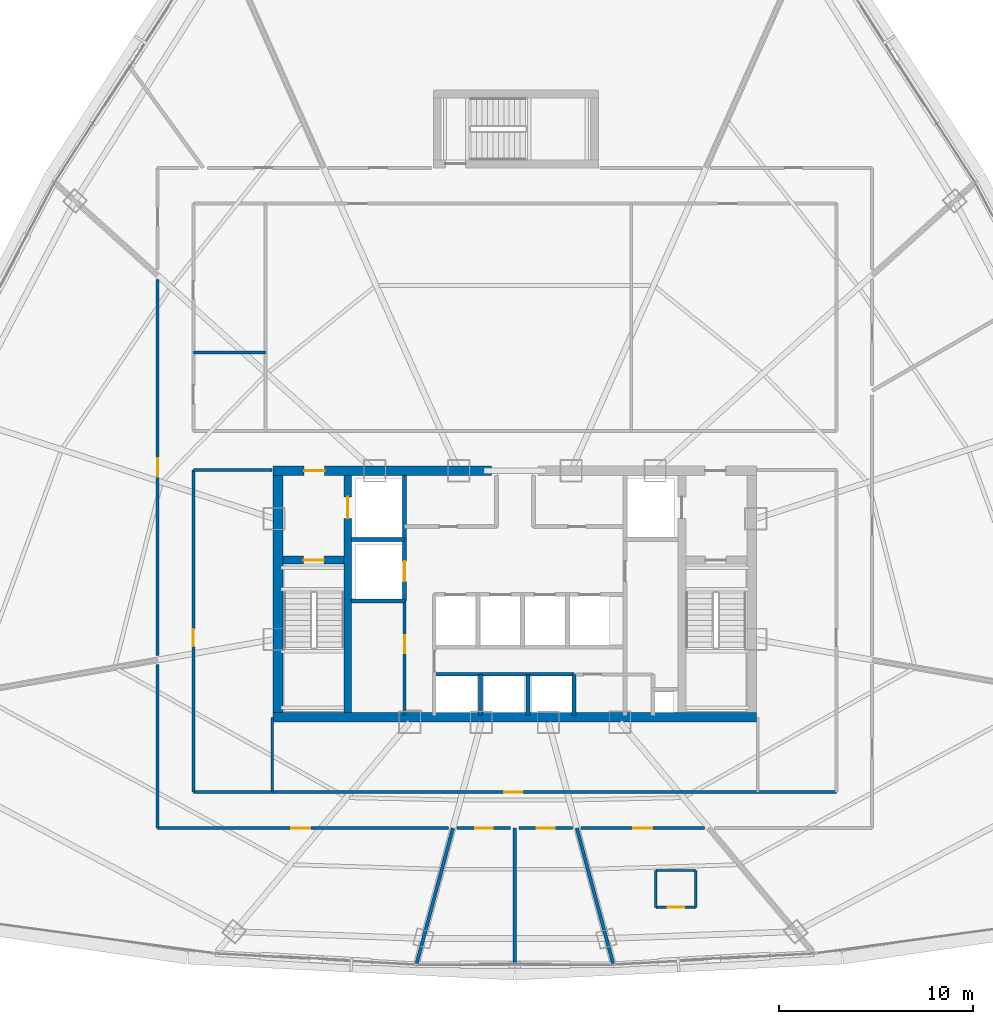
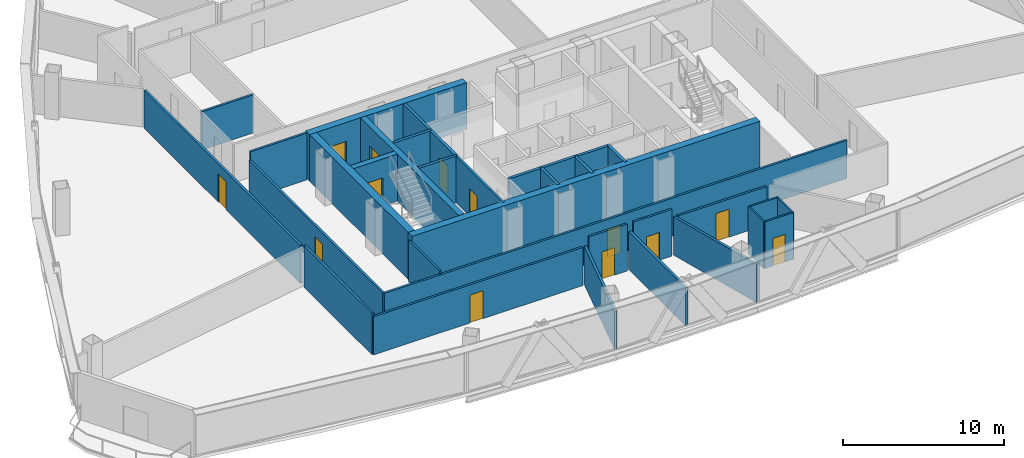
# One storey, part 29 of 36: 31 walls, 13 doors, 13 openings.
"""IFC4 building model written with IfcOpenShell, lengths in metres."""

from ifc_helpers import new_model, si_unit, direction, frame, frame_2d, origin, origin_with_axes, place, context, subcontext, project, spatial, rectangle, extrude, source, transform, mapped, material, layer, layer_set, type_object, element, fill, save


model = new_model("IFC4")

# Units and contexts
model_context = context("Model", 3, precision=1e-05, world=origin(), true_north=direction((0.0, 1.0)))
body_context = subcontext(model_context, "Body", "Model", "MODEL_VIEW")
ifc_project = project(units=[si_unit("LENGTHUNIT", "METRE"), si_unit("AREAUNIT", "SQUARE_METRE"), si_unit("VOLUMEUNIT", "CUBIC_METRE"), si_unit("PLANEANGLEUNIT", "RADIAN"), si_unit("MASSUNIT", "GRAM", prefix="KILO"), si_unit("THERMODYNAMICTEMPERATUREUNIT", "KELVIN"), si_unit("POWERUNIT", "WATT")], contexts=[model_context])

# Site, building, storey
site_placement = place(None, origin())
site = spatial("IfcSite", under=ifc_project, at=site_placement, CompositionType="ELEMENT")
building_placement = place(site_placement, origin())
building = spatial("IfcBuilding", under=site, at=building_placement, Name="Yunzhuo Pagoda Commons", CompositionType="ELEMENT")
storey_placement = place(building_placement, frame((0.0, 0.0, 211.360107421875)))
storey = spatial("IfcBuildingStorey", under=building, at=storey_placement, Name="L53", CompositionType="ELEMENT", Elevation=211.360107421875)

# Wall
ifc_material_1 = material(Name="Concrete C50", Category="concrete")
ifc_layer_1 = layer(ifc_material_1, 0.5)
ifc_layer_set_1 = layer_set([ifc_layer_1], Name="Concrete C50")
wall_type_1 = type_object("IfcWallType", Name="W-C03 Upper Core Shear Wall 500", PredefinedType="SHEAR", material=ifc_layer_set_1)
wall_1_placement = place(storey_placement, frame((35.550048828125, 27.5, 0.0), z_axis=(0.0, 0.0, 1.0), x_axis=(1.0, 0.0, 0.0)))
element("IfcWall", 1, at=wall_1_placement, inside=storey, type_object=wall_type_1, Name="L53 core shear wall S", PredefinedType="SHEAR", context=body_context, shape_type="SweptSolid", body=[
    extrude(rectangle(XDim=24.89990234375, YDim=0.5, at=frame_2d((12.449951171875, 0.0))), origin(), (0.0, 0.0, 1.0), 3.539794921875),
])

# Wall, opening, door
wall_2_placement = place(storey_placement, frame((35.550048828125, 40.199951171875, 0.0), z_axis=(0.0, 0.0, 1.0), x_axis=(1.0, 0.0, 0.0)))
wall_2 = element("IfcWall", 2, at=wall_2_placement, inside=storey, type_object=wall_type_1, Name="L53 core shear wall NW", PredefinedType="SHEAR", context=body_context, shape_type="SweptSolid", body=[
    extrude(rectangle(XDim=11.25, YDim=0.5, at=frame_2d((5.625, 0.0))), origin(), (0.0, 0.0, 1.0), 3.539794921875),
])
opening_1_placement = place(wall_2_placement, frame((1.60009765625, 0.0, 0.0)))
opening_1 = element("IfcOpeningElement", 3, at=opening_1_placement, cuts=wall_2, Name="Opening D-02", PredefinedType="OPENING", context=body_context, shape_type="SweptSolid", body=[
    extrude(rectangle(XDim=1.050048828125, YDim=2.10009765625, at=frame_2d((0.52490234375, 1.050048828125))), frame((0.0, 0.260009765625, 0.0), z_axis=(0.0, -1.0, 0.0), x_axis=(1.0, 0.0, 0.0)), (0.0, 0.0, 1.0), 0.52001953125),
])
ifc_material_2 = material(Name="Galvanized fire-resisting metal leaf")
door_type_1 = type_object("IfcDoorType", Name="D-02 Firefighting Lobby & Refuge Fire Door 1050x2100", OperationType="NOTDEFINED", PredefinedType="DOOR", material=ifc_material_2)
shared_shape_1 = source(origin(), body_context, "Body", "SweptSolid", [
    extrude(rectangle(XDim=1.050048828125, YDim=2.10009765625, at=frame_2d((0.52490234375, 1.050048828125))), frame((0.0, 0.02490234375, 0.0), z_axis=(0.0, -1.0, 0.0), x_axis=(1.0, 0.0, 0.0)), (0.0, 0.0, 1.0), 0.050048828125),
])
door_1_placement = place(opening_1_placement, frame((1.050048828125, 0.0, 0.0), z_axis=(0.0, 0.0, 1.0), x_axis=(-1.0, 0.0, 0.0)))
door_1 = element("IfcDoor", 4, at=door_1_placement, inside=storey, type_object=door_type_1, Name="L53 Firefighting Lobby 1 fire door", OperationType="SINGLE_SWING_LEFT", OverallHeight=2.10009765625, OverallWidth=1.050048828125, PredefinedType="DOOR", context=body_context, shape_type="MappedRepresentation", body=[
    mapped(shared_shape_1, transform((0.0, 0.0, 0.0), scale=1.0)),
])
fill(opening_1, door_1)

# Wall
wall_3_placement = place(storey_placement, frame((35.800048828125, 27.75, 0.0), z_axis=(0.0, 0.0, 1.0), x_axis=(0.0, 1.0, 0.0)))
element("IfcWall", 5, at=wall_3_placement, inside=storey, type_object=wall_type_1, Name="L53 core shear wall W", PredefinedType="SHEAR", context=body_context, shape_type="SweptSolid", body=[
    extrude(rectangle(XDim=12.199951171875, YDim=0.5, at=frame_2d((6.10009765625, 0.0))), origin(), (0.0, 0.0, 1.0), 3.539794921875),
])

# Wall, opening, door
ifc_material_3 = material(Name="Gypsum plasterboard on acoustic stud")
ifc_layer_2 = layer(ifc_material_3, 0.155029296875)
ifc_layer_set_2 = layer_set([ifc_layer_2], Name="Gypsum plasterboard on acoustic stud")
wall_type_2 = type_object("IfcWallType", Name="W-COR2 Mid-Zone Rated Corridor Wall 155", PredefinedType="PARTITIONING", material=ifc_layer_set_2)
wall_4_placement = place(storey_placement, frame((42.320068359375, 27.60009765625, 0.0), z_axis=(0.0, 0.0, 1.0), x_axis=(0.0, 1.0, 0.0)))
wall_4 = element("IfcWall", 6, at=wall_4_placement, inside=storey, type_object=wall_type_2, Name="L53 interior wall IW-L53-CSWE", PredefinedType="PARTITIONING", context=body_context, shape_type="SweptSolid", body=[
    extrude(rectangle(XDim=5.89990234375, YDim=0.155029296875, at=frame_2d((2.949951171875, 0.0))), origin(), (0.0, 0.0, 1.0), 3.539794921875),
])
opening_2_placement = place(wall_4_placement, frame((3.199951171875, 0.0, 0.0)))
opening_2 = element("IfcOpeningElement", 7, at=opening_2_placement, cuts=wall_4, Name="Opening D-11", PredefinedType="OPENING", context=body_context, shape_type="SweptSolid", body=[
    extrude(rectangle(XDim=0.93994140625, YDim=2.10009765625, at=frame_2d((0.469970703125, 1.050048828125))), frame((0.0, 0.08740234375, 0.0), z_axis=(0.0, -1.0, 0.0), x_axis=(1.0, 0.0, 0.0)), (0.0, 0.0, 1.0), 0.175048828125),
])
door_type_2 = type_object("IfcDoorType", Name="D-11 Accessible Washroom Fire Door 940x2100", OperationType="NOTDEFINED", PredefinedType="DOOR", material=ifc_material_2)
shared_shape_2 = source(origin(), body_context, "Body", "SweptSolid", [
    extrude(rectangle(XDim=0.93994140625, YDim=2.10009765625, at=frame_2d((0.469970703125, 1.050048828125))), frame((0.0, 0.02490234375, 0.0), z_axis=(0.0, -1.0, 0.0), x_axis=(1.0, 0.0, 0.0)), (0.0, 0.0, 1.0), 0.050048828125),
])
door_2_placement = place(opening_2_placement, origin_with_axes())
door_2 = element("IfcDoor", 8, at=door_2_placement, inside=storey, type_object=door_type_2, Name="L53 core WC door", OperationType="SINGLE_SWING_LEFT", OverallHeight=2.10009765625, OverallWidth=0.93994140625, PredefinedType="DOOR", context=body_context, shape_type="MappedRepresentation", body=[
    mapped(shared_shape_2, transform((0.0, 0.0, 0.0), scale=1.0)),
])
fill(opening_2, door_2)

# Wall
wall_5_placement = place(storey_placement, frame((31.449951171875, 46.300048828125, 0.0), z_axis=(0.0, 0.0, 1.0), x_axis=(1.0, 0.0, 0.0)))
element("IfcWall", 9, at=wall_5_placement, inside=storey, type_object=wall_type_2, Name="L53 interior wall IW-L53-MCWCN", PredefinedType="PARTITIONING", context=body_context, shape_type="SweptSolid", body=[
    extrude(rectangle(XDim=3.699951171875, YDim=0.155029296875, at=frame_2d((1.85009765625, 0.0))), origin(), (0.0, 0.0, 1.0), 2.889892578125),
])

# Wall, opening, door
wall_6_placement = place(storey_placement, frame((31.449951171875, 23.64990234375, 0.0), z_axis=(0.0, 0.0, 1.0), x_axis=(0.0, 1.0, 0.0)))
wall_6 = element("IfcWall", 10, at=wall_6_placement, inside=storey, type_object=wall_type_2, Name="L53 interior wall IW-L53-SFLW", PredefinedType="PARTITIONING", context=body_context, shape_type="SweptSolid", body=[
    extrude(rectangle(XDim=16.60009765625, YDim=0.155029296875, at=frame_2d((8.300048828125, 0.0))), origin(), (0.0, 0.0, 1.0), 2.889892578125),
])
opening_3_placement = place(wall_6_placement, frame((7.5, 0.0, 0.0)))
opening_3 = element("IfcOpeningElement", 11, at=opening_3_placement, cuts=wall_6, Name="Opening D-12", PredefinedType="OPENING", context=body_context, shape_type="SweptSolid", body=[
    extrude(rectangle(XDim=0.89990234375, YDim=2.080078125, at=frame_2d((0.449951171875, 1.0400390625))), frame((0.0, 0.08740234375, 0.0), z_axis=(0.0, -1.0, 0.0), x_axis=(1.0, 0.0, 0.0)), (0.0, 0.0, 1.0), 0.175048828125),
])
ifc_material_4 = material(Name="Powder-coated aluminium and timber acoustic leaf", Category="wood")
door_type_3 = type_object("IfcDoorType", Name="D-12 Quiet Study Interior Door 900x2080", OperationType="NOTDEFINED", PredefinedType="DOOR", material=ifc_material_4)
shared_shape_3 = source(origin(), body_context, "Body", "SweptSolid", [
    extrude(rectangle(XDim=0.89990234375, YDim=2.080078125, at=frame_2d((0.449951171875, 1.0400390625))), frame((0.0, 0.02490234375, 0.0), z_axis=(0.0, -1.0, 0.0), x_axis=(1.0, 0.0, 0.0)), (0.0, 0.0, 1.0), 0.050048828125),
])
door_3_placement = place(opening_3_placement, origin_with_axes())
door_3 = element("IfcDoor", 12, at=door_3_placement, inside=storey, type_object=door_type_3, Name="L53 west study workroom door", OperationType="SINGLE_SWING_LEFT", OverallHeight=2.080078125, OverallWidth=0.89990234375, PredefinedType="DOOR", context=body_context, shape_type="MappedRepresentation", body=[
    mapped(shared_shape_3, transform((0.0, 0.0, 0.0), scale=1.0)),
])
fill(opening_3, door_3)

wall_7_placement = place(storey_placement, frame((31.449951171875, 23.64990234375, 0.0), z_axis=(0.0, 0.0, 1.0), x_axis=(1.0, 0.0, 0.0)))
wall_7 = element("IfcWall", 13, at=wall_7_placement, inside=storey, type_object=wall_type_2, Name="L53 interior wall IW-L53-SFLS", PredefinedType="PARTITIONING", context=body_context, shape_type="SweptSolid", body=[
    extrude(rectangle(XDim=33.10009765625, YDim=0.155029296875, at=frame_2d((16.550048828125, 0.0))), origin(), (0.0, 0.0, 1.0), 2.889892578125),
])
opening_4_placement = place(wall_7_placement, frame((16.0, 0.0, 0.0)))
opening_4 = element("IfcOpeningElement", 14, at=opening_4_placement, cuts=wall_7, Name="Opening D-04", PredefinedType="OPENING", context=body_context, shape_type="SweptSolid", body=[
    extrude(rectangle(XDim=0.919921875, YDim=2.10009765625, at=frame_2d((0.4599609375, 1.050048828125))), frame((0.0, 0.08740234375, 0.0), z_axis=(0.0, -1.0, 0.0), x_axis=(1.0, 0.0, 0.0)), (0.0, 0.0, 1.0), 0.175048828125),
])
door_type_4 = type_object("IfcDoorType", Name="D-04 Bedroom & Study Interior Door 920x2100", OperationType="NOTDEFINED", PredefinedType="DOOR", material=ifc_material_4)
shared_shape_4 = source(origin(), body_context, "Body", "SweptSolid", [
    extrude(rectangle(XDim=0.919921875, YDim=2.10009765625, at=frame_2d((0.4599609375, 1.050048828125))), frame((0.0, 0.02490234375, 0.0), z_axis=(0.0, -1.0, 0.0), x_axis=(1.0, 0.0, 0.0)), (0.0, 0.0, 1.0), 0.050048828125),
])
door_4_placement = place(opening_4_placement, frame((0.919921875, 0.0, 0.0), z_axis=(0.0, 0.0, 1.0), x_axis=(-1.0, 0.0, 0.0)))
door_4 = element("IfcDoor", 15, at=door_4_placement, inside=storey, type_object=door_type_4, Name="L53 south seminar room door", OperationType="SINGLE_SWING_RIGHT", OverallHeight=2.10009765625, OverallWidth=0.919921875, PredefinedType="DOOR", context=body_context, shape_type="MappedRepresentation", body=[
    mapped(shared_shape_4, transform((0.0, 0.0, 0.0), scale=1.0)),
])
fill(opening_4, door_4)

# Walls
wall_8_placement = place(storey_placement, frame((31.449951171875, 40.25, 0.0), z_axis=(0.0, 0.0, 1.0), x_axis=(1.0, 0.0, 0.0)))
element("IfcWall", 16, at=wall_8_placement, inside=storey, type_object=wall_type_2, Name="L53 interior wall IW-L53-SFLNW", PredefinedType="PARTITIONING", context=body_context, shape_type="SweptSolid", body=[
    extrude(rectangle(XDim=4.050048828125, YDim=0.155029296875, at=frame_2d((2.02490234375, 0.0))), origin(), (0.0, 0.0, 1.0), 3.539794921875),
])
wall_9_placement = place(storey_placement, frame((29.60009765625, 21.800048828125, 0.0), z_axis=(0.0, 0.0, 1.0), x_axis=(0.0, 1.0, 0.0)))
element("IfcWall", 17, at=wall_9_placement, inside=storey, type_object=wall_type_2, Name="L53 interior wall IW-L53-CWL01", PredefinedType="PARTITIONING", context=body_context, shape_type="SweptSolid", body=[
    extrude(rectangle(XDim=8.43212890625, YDim=0.155029296875, at=frame_2d((4.216064453125, 0.0))), origin(), (0.0, 0.0, 1.0), 3.139892578125),
])

# Wall, opening, door
wall_10_placement = place(storey_placement, frame((29.60009765625, 30.67529296875, 0.0), z_axis=(0.0, 0.0, 1.0), x_axis=(0.0, 1.0, 0.0)))
wall_10 = element("IfcWall", 18, at=wall_10_placement, inside=storey, type_object=wall_type_2, Name="L53 interior wall IW-L53-CWL02", PredefinedType="PARTITIONING", context=body_context, shape_type="SweptSolid", body=[
    extrude(rectangle(XDim=19.372314453125, YDim=0.155029296875, at=frame_2d((9.68603515625, 0.0))), origin(), (0.0, 0.0, 1.0), 2.889892578125),
])
opening_5_placement = place(wall_10_placement, frame((9.211181640625, 0.0, 0.0)))
opening_5 = element("IfcOpeningElement", 19, at=opening_5_placement, cuts=wall_10, Name="Opening D-07", PredefinedType="OPENING", context=body_context, shape_type="SweptSolid", body=[
    extrude(rectangle(XDim=0.9599609375, YDim=2.1201171875, at=frame_2d((0.47998046875, 1.06005859375))), frame((0.0, 0.08740234375, 0.0), z_axis=(0.0, -1.0, 0.0), x_axis=(1.0, 0.0, 0.0)), (0.0, 0.0, 1.0), 0.175048828125),
])
door_type_5 = type_object("IfcDoorType", Name="D-07 Mid-Zone Suite Entrance Fire Door 960x2120", OperationType="NOTDEFINED", PredefinedType="DOOR", material=ifc_material_2)
shared_shape_5 = source(origin(), body_context, "Body", "SweptSolid", [
    extrude(rectangle(XDim=0.9599609375, YDim=2.1201171875, at=frame_2d((0.47998046875, 1.06005859375))), frame((0.0, 0.02490234375, 0.0), z_axis=(0.0, -1.0, 0.0), x_axis=(1.0, 0.0, 0.0)), (0.0, 0.0, 1.0), 0.050048828125),
])
door_5_placement = place(opening_5_placement, origin_with_axes())
door_5 = element("IfcDoor", 20, at=door_5_placement, inside=storey, type_object=door_type_5, Name="L53 Resident Co-Living Commons Hall door", OperationType="SINGLE_SWING_RIGHT", OverallHeight=2.1201171875, OverallWidth=0.9599609375, PredefinedType="DOOR", context=body_context, shape_type="MappedRepresentation", body=[
    mapped(shared_shape_5, transform((0.0, 0.0, 0.0), scale=1.0)),
])
fill(opening_5, door_5)

wall_11_placement = place(storey_placement, frame((57.765380859375, 21.800048828125, 0.0), z_axis=(0.0, 0.0, 1.0), x_axis=(-1.0, 0.0, 0.0)))
wall_11 = element("IfcWall", 21, at=wall_11_placement, inside=storey, type_object=wall_type_2, Name="L53 interior wall IW-L53-CWL14", PredefinedType="PARTITIONING", context=body_context, shape_type="SweptSolid", body=[
    extrude(rectangle(XDim=6.348876953125, YDim=0.155029296875, at=frame_2d((3.17431640625, 0.0))), origin(), (0.0, 0.0, 1.0), 2.889892578125),
])
opening_6_placement = place(wall_11_placement, frame((2.703369140625, 0.0, 0.0)))
opening_6 = element("IfcOpeningElement", 22, at=opening_6_placement, cuts=wall_11, Name="Opening D-07", PredefinedType="OPENING", context=body_context, shape_type="SweptSolid", body=[
    extrude(rectangle(XDim=0.9599609375, YDim=2.1201171875, at=frame_2d((0.47998046875, 1.06005859375))), frame((0.0, 0.08740234375, 0.0), z_axis=(0.0, -1.0, 0.0), x_axis=(1.0, 0.0, 0.0)), (0.0, 0.0, 1.0), 0.175048828125),
])
door_6_placement = place(opening_6_placement, origin_with_axes())
door_6 = element("IfcDoor", 23, at=door_6_placement, inside=storey, type_object=door_type_5, Name="L53 unit 11 entrance door", OperationType="SINGLE_SWING_RIGHT", OverallHeight=2.1201171875, OverallWidth=0.9599609375, PredefinedType="DOOR", context=body_context, shape_type="MappedRepresentation", body=[
    mapped(shared_shape_5, transform((0.0, 0.0, 0.0), scale=1.0)),
])
fill(opening_6, door_6)

wall_12_placement = place(storey_placement, frame((50.96875, 21.800048828125, 0.0), z_axis=(0.0, 0.0, 1.0), x_axis=(-1.0, 0.0, 0.0)))
wall_12 = element("IfcWall", 24, at=wall_12_placement, inside=storey, type_object=wall_type_2, Name="L53 interior wall IW-L53-CWL15", PredefinedType="PARTITIONING", context=body_context, shape_type="SweptSolid", body=[
    extrude(rectangle(XDim=2.748779296875, YDim=0.155029296875, at=frame_2d((1.37451171875, 0.0))), origin(), (0.0, 0.0, 1.0), 3.539794921875),
])
opening_7_placement = place(wall_12_placement, frame((0.91455078125, 0.0, 0.0)))
opening_7 = element("IfcOpeningElement", 25, at=opening_7_placement, cuts=wall_12, Name="Opening D-04", PredefinedType="OPENING", context=body_context, shape_type="SweptSolid", body=[
    extrude(rectangle(XDim=0.919921875, YDim=2.10009765625, at=frame_2d((0.4599609375, 1.050048828125))), frame((0.0, 0.08740234375, 0.0), z_axis=(0.0, -1.0, 0.0), x_axis=(1.0, 0.0, 0.0)), (0.0, 0.0, 1.0), 0.175048828125),
])
door_7_placement = place(opening_7_placement, origin_with_axes())
door_7 = element("IfcDoor", 26, at=door_7_placement, inside=storey, type_object=door_type_4, Name="L53 seminar room 10 door", OperationType="SINGLE_SWING_LEFT", OverallHeight=2.10009765625, OverallWidth=0.919921875, PredefinedType="DOOR", context=body_context, shape_type="MappedRepresentation", body=[
    mapped(shared_shape_4, transform((0.0, 0.0, 0.0), scale=1.0)),
])
fill(opening_7, door_7)

wall_13_placement = place(storey_placement, frame((47.780029296875, 21.800048828125, 0.0), z_axis=(0.0, 0.0, 1.0), x_axis=(-1.0, 0.0, 0.0)))
wall_13 = element("IfcWall", 27, at=wall_13_placement, inside=storey, type_object=wall_type_2, Name="L53 interior wall IW-L53-CWL16", PredefinedType="PARTITIONING", context=body_context, shape_type="SweptSolid", body=[
    extrude(rectangle(XDim=2.748779296875, YDim=0.155029296875, at=frame_2d((1.37451171875, 0.0))), origin(), (0.0, 0.0, 1.0), 3.539794921875),
])
opening_8_placement = place(wall_13_placement, frame((0.914306640625, 0.0, 0.0)))
opening_8 = element("IfcOpeningElement", 28, at=opening_8_placement, cuts=wall_13, Name="Opening D-12", PredefinedType="OPENING", context=body_context, shape_type="SweptSolid", body=[
    extrude(rectangle(XDim=0.89990234375, YDim=2.080078125, at=frame_2d((0.449951171875, 1.0400390625))), frame((0.0, 0.08740234375, 0.0), z_axis=(0.0, -1.0, 0.0), x_axis=(1.0, 0.0, 0.0)), (0.0, 0.0, 1.0), 0.175048828125),
])
door_8_placement = place(opening_8_placement, origin_with_axes())
door_8 = element("IfcDoor", 29, at=door_8_placement, inside=storey, type_object=door_type_3, Name="L53 study lounge 09 door", OperationType="SINGLE_SWING_RIGHT", OverallHeight=2.080078125, OverallWidth=0.89990234375, PredefinedType="DOOR", context=body_context, shape_type="MappedRepresentation", body=[
    mapped(shared_shape_3, transform((0.0, 0.0, 0.0), scale=1.0)),
])
fill(opening_8, door_8)

wall_14_placement = place(storey_placement, frame((44.58349609375, 21.800048828125, 0.0), z_axis=(0.0, 0.0, 1.0), x_axis=(-1.0, 0.0, 0.0)))
wall_14 = element("IfcWall", 30, at=wall_14_placement, inside=storey, type_object=wall_type_2, Name="L53 interior wall IW-L53-CWL17", PredefinedType="PARTITIONING", context=body_context, shape_type="SweptSolid", body=[
    extrude(rectangle(XDim=14.9833984375, YDim=0.155029296875, at=frame_2d((7.49169921875, 0.0))), origin(), (0.0, 0.0, 1.0), 2.889892578125),
])
opening_9_placement = place(wall_14_placement, frame((7.1328125, 0.0, 0.0)))
opening_9 = element("IfcOpeningElement", 31, at=opening_9_placement, cuts=wall_14, Name="Opening D-07", PredefinedType="OPENING", context=body_context, shape_type="SweptSolid", body=[
    extrude(rectangle(XDim=0.9599609375, YDim=2.1201171875, at=frame_2d((0.47998046875, 1.06005859375))), frame((0.0, 0.08740234375, 0.0), z_axis=(0.0, -1.0, 0.0), x_axis=(1.0, 0.0, 0.0)), (0.0, 0.0, 1.0), 0.175048828125),
])
door_9_placement = place(opening_9_placement, origin_with_axes())
door_9 = element("IfcDoor", 32, at=door_9_placement, inside=storey, type_object=door_type_5, Name="L53 Academic Reading Commons 2 door", OperationType="SINGLE_SWING_LEFT", OverallHeight=2.1201171875, OverallWidth=0.9599609375, PredefinedType="DOOR", context=body_context, shape_type="MappedRepresentation", body=[
    mapped(shared_shape_5, transform((0.0, 0.0, 0.0), scale=1.0)),
])
fill(opening_9, door_9)

# Wall
ifc_layer_3 = layer(ifc_material_3, 0.1201171875)
ifc_layer_set_3 = layer_set([ifc_layer_3], Name="Gypsum plasterboard on acoustic stud")
wall_type_3 = type_object("IfcWallType", Name="W-PRT1 Suite & Bathroom Partition 120", PredefinedType="PARTITIONING", material=ifc_layer_set_3)
wall_15_placement = place(storey_placement, frame((35.5, 23.64990234375, 0.0), z_axis=(0.0, 0.0, 1.0), x_axis=(0.0, 1.0, 0.0)))
element("IfcWall", 33, at=wall_15_placement, inside=storey, type_object=wall_type_3, Name="L53 interior wall IW-L53-SFLD1", PredefinedType="PARTITIONING", context=body_context, shape_type="SweptSolid", body=[
    extrude(rectangle(XDim=3.85009765625, YDim=0.1201171875, at=frame_2d((1.925048828125, 0.0))), origin(), (0.0, 0.0, 1.0), 3.139892578125),
])

# Wall, opening, door
wall_16_placement = place(storey_placement, frame((55.261962890625, 17.718994140625, 0.0), z_axis=(0.0, 0.0, 1.0), x_axis=(1.0, 0.0, 0.0)))
wall_16 = element("IfcWall", 34, at=wall_16_placement, inside=storey, type_object=wall_type_3, Name="L53 interior wall IW-L53-B11S", PredefinedType="PARTITIONING", context=body_context, shape_type="SweptSolid", body=[
    extrude(rectangle(XDim=2.050048828125, YDim=0.1201171875, at=frame_2d((1.02490234375, 0.0))), origin(), (0.0, 0.0, 1.0), 3.539794921875),
])
opening_10_placement = place(wall_16_placement, frame((0.60009765625, 0.0, 0.0)))
opening_10 = element("IfcOpeningElement", 35, at=opening_10_placement, cuts=wall_16, Name="Opening D-05", PredefinedType="OPENING", context=body_context, shape_type="SweptSolid", body=[
    extrude(rectangle(XDim=0.85009765625, YDim=2.10009765625, at=frame_2d((0.425048828125, 1.050048828125))), frame((0.0, 0.070068359375, 0.0), z_axis=(0.0, -1.0, 0.0), x_axis=(1.0, 0.0, 0.0)), (0.0, 0.0, 1.0), 0.14013671875),
])
door_type_6 = type_object("IfcDoorType", Name="D-05 En-Suite Bathroom Door 850x2100", OperationType="NOTDEFINED", PredefinedType="DOOR", material=ifc_material_4)
shared_shape_6 = source(origin(), body_context, "Body", "SweptSolid", [
    extrude(rectangle(XDim=0.85009765625, YDim=2.10009765625, at=frame_2d((0.425048828125, 1.050048828125))), frame((0.0, 0.02490234375, 0.0), z_axis=(0.0, -1.0, 0.0), x_axis=(1.0, 0.0, 0.0)), (0.0, 0.0, 1.0), 0.050048828125),
])
door_10_placement = place(opening_10_placement, frame((0.85009765625, 0.0, 0.0), z_axis=(0.0, 0.0, 1.0), x_axis=(-1.0, 0.0, 0.0)))
door_10 = element("IfcDoor", 36, at=door_10_placement, inside=storey, type_object=door_type_6, Name="L53 unit 11 bathroom door", OperationType="SINGLE_SWING_RIGHT", OverallHeight=2.10009765625, OverallWidth=0.85009765625, PredefinedType="DOOR", context=body_context, shape_type="MappedRepresentation", body=[
    mapped(shared_shape_6, transform((0.0, 0.0, 0.0), scale=1.0)),
])
fill(opening_10, door_10)

# Walls
wall_17_placement = place(storey_placement, frame((57.31201171875, 17.718994140625, 0.0), z_axis=(0.0, 0.0, 1.0), x_axis=(0.0, 1.0, 0.0)))
element("IfcWall", 37, at=wall_17_placement, inside=storey, type_object=wall_type_3, Name="L53 interior wall IW-L53-B11E", PredefinedType="PARTITIONING", context=body_context, shape_type="SweptSolid", body=[
    extrude(rectangle(XDim=1.89990234375, YDim=0.1201171875, at=frame_2d((0.949951171875, 0.0))), origin(), (0.0, 0.0, 1.0), 3.539794921875),
])
wall_18_placement = place(storey_placement, frame((57.31201171875, 19.618896484375, 0.0), z_axis=(0.0, 0.0, 1.0), x_axis=(-1.0, 0.0, 0.0)))
element("IfcWall", 38, at=wall_18_placement, inside=storey, type_object=wall_type_3, Name="L53 interior wall IW-L53-B11N", PredefinedType="PARTITIONING", context=body_context, shape_type="SweptSolid", body=[
    extrude(rectangle(XDim=2.050048828125, YDim=0.1201171875, at=frame_2d((1.02490234375, 0.0))), origin(), (0.0, 0.0, 1.0), 3.539794921875),
])
wall_19_placement = place(storey_placement, frame((55.261962890625, 19.618896484375, 0.0), z_axis=(0.0, 0.0, 1.0), x_axis=(0.0, -1.0, 0.0)))
element("IfcWall", 39, at=wall_19_placement, inside=storey, type_object=wall_type_3, Name="L53 interior wall IW-L53-B11W", PredefinedType="PARTITIONING", context=body_context, shape_type="SweptSolid", body=[
    extrude(rectangle(XDim=1.89990234375, YDim=0.1201171875, at=frame_2d((0.949951171875, 0.0))), origin(), (0.0, 0.0, 1.0), 3.539794921875),
])
ifc_layer_4 = layer(ifc_material_3, 0.175048828125)
ifc_layer_set_4 = layer_set([ifc_layer_4], Name="Gypsum plasterboard on acoustic stud")
wall_type_4 = type_object("IfcWallType", Name="W-PRT3 Mid-Zone Demising Wall 175", PredefinedType="PARTITIONING", material=ifc_layer_set_4)
wall_20_placement = place(storey_placement, frame((44.811279296875, 21.800048828125, 0.0), z_axis=(0.0, 0.0, 1.0), x_axis=(-0.258817575638, -0.96592622003, 0.0)))
element("IfcWall", 40, at=wall_20_placement, inside=storey, type_object=wall_type_4, Name="L53 interior wall IW-L53-RAD08", PredefinedType="PARTITIONING", context=body_context, shape_type="SweptSolid", body=[
    extrude(rectangle(XDim=7.287841796875, YDim=0.175048828125, at=frame_2d((3.64404296875, 0.0))), origin(), (0.0, 0.0, 1.0), 2.889892578125),
])
wall_21_placement = place(storey_placement, frame((48.0, 21.800048828125, 0.0), z_axis=(0.0, 0.0, 1.0), x_axis=(0.0, -1.0, 0.0)))
element("IfcWall", 41, at=wall_21_placement, inside=storey, type_object=wall_type_4, Name="L53 interior wall IW-L53-RAD09", PredefinedType="PARTITIONING", context=body_context, shape_type="SweptSolid", body=[
    extrude(rectangle(XDim=7.03955078125, YDim=0.175048828125, at=frame_2d((3.519775390625, 0.0))), origin(), (0.0, 0.0, 1.0), 2.889892578125),
])
wall_22_placement = place(storey_placement, frame((51.188720703125, 21.800048828125, 0.0), z_axis=(0.0, 0.0, 1.0), x_axis=(0.258817575638, -0.96592622003, 0.0)))
element("IfcWall", 42, at=wall_22_placement, inside=storey, type_object=wall_type_4, Name="L53 interior wall IW-L53-RAD10", PredefinedType="PARTITIONING", context=body_context, shape_type="SweptSolid", body=[
    extrude(rectangle(XDim=7.287841796875, YDim=0.175048828125, at=frame_2d((3.64404296875, 0.0))), origin(), (0.0, 0.0, 1.0), 2.889892578125),
])

# Wall, opening, door
ifc_material_5 = material(Name="Concrete C60", Category="concrete")
ifc_layer_5 = layer(ifc_material_5, 0.39990234375)
ifc_layer_set_5 = layer_set([ifc_layer_5], Name="Concrete C60")
wall_type_5 = type_object("IfcWallType", Name="W-S01 Internal Core Shear Web 400", PredefinedType="SHEAR", material=ifc_layer_set_5)
wall_23_placement = place(storey_placement, frame((39.39990234375, 27.75, 0.0), z_axis=(0.0, 0.0, 1.0), x_axis=(0.0, 1.0, 0.0)))
wall_23 = element("IfcWall", 43, at=wall_23_placement, inside=storey, type_object=wall_type_5, Name="L53 core shear wall WEBW", PredefinedType="SHEAR", context=body_context, shape_type="SweptSolid", body=[
    extrude(rectangle(XDim=12.199951171875, YDim=0.39990234375, at=frame_2d((6.10009765625, 0.0))), origin(), (0.0, 0.0, 1.0), 3.539794921875),
])
opening_11_placement = place(wall_23_placement, frame((10.0, 0.0, 0.0)))
opening_11 = element("IfcOpeningElement", 44, at=opening_11_placement, cuts=wall_23, Name="Opening LD-01", PredefinedType="OPENING", context=body_context, shape_type="SweptSolid", body=[
    extrude(rectangle(XDim=1.10009765625, YDim=2.10009765625, at=frame_2d((0.550048828125, 1.050048828125))), frame((0.0, 0.2099609375, 0.0), z_axis=(0.0, -1.0, 0.0), x_axis=(1.0, 0.0, 0.0)), (0.0, 0.0, 1.0), 0.419921875),
])
door_type_7 = type_object("IfcDoorType", Name="LD-01 Firefighting Lift Landing Door 1100x2100", OperationType="DOUBLE_DOOR_SLIDING", PredefinedType="DOOR", material=ifc_material_2)
shared_shape_7 = source(origin(), body_context, "Body", "SweptSolid", [
    extrude(rectangle(XDim=1.10009765625, YDim=2.10009765625, at=frame_2d((0.550048828125, 1.050048828125))), frame((0.0, 0.02490234375, 0.0), z_axis=(0.0, -1.0, 0.0), x_axis=(1.0, 0.0, 0.0)), (0.0, 0.0, 1.0), 0.050048828125),
])
door_11_placement = place(opening_11_placement, frame((1.10009765625, 0.0, 0.0), z_axis=(0.0, 0.0, 1.0), x_axis=(-1.0, 0.0, 0.0)))
door_11 = element("IfcDoor", 45, at=door_11_placement, inside=storey, type_object=door_type_7, Name="L53 Firefighting lift FL-1 landing door", OperationType="DOUBLE_DOOR_SLIDING", OverallHeight=2.10009765625, OverallWidth=1.10009765625, PredefinedType="DOOR", context=body_context, shape_type="MappedRepresentation", body=[
    mapped(shared_shape_7, transform((0.0, 0.0, 0.0), scale=1.0)),
])
fill(opening_11, door_11)

wall_24_placement = place(storey_placement, frame((36.050048828125, 35.60009765625, 0.0), z_axis=(0.0, 0.0, 1.0), x_axis=(1.0, 0.0, 0.0)))
wall_24 = element("IfcWall", 46, at=wall_24_placement, inside=storey, type_object=wall_type_5, Name="L53 core shear wall STW", PredefinedType="SHEAR", context=body_context, shape_type="SweptSolid", body=[
    extrude(rectangle(XDim=3.14990234375, YDim=0.39990234375, at=frame_2d((1.574951171875, 0.0))), origin(), (0.0, 0.0, 1.0), 3.539794921875),
])
opening_12_placement = place(wall_24_placement, frame((1.070068359375, 0.0, 0.0)))
opening_12 = element("IfcOpeningElement", 47, at=opening_12_placement, cuts=wall_24, Name="Opening D-01", PredefinedType="OPENING", context=body_context, shape_type="SweptSolid", body=[
    extrude(rectangle(XDim=1.050048828125, YDim=2.10009765625, at=frame_2d((0.52490234375, 1.050048828125))), frame((0.0, 0.2099609375, 0.0), z_axis=(0.0, -1.0, 0.0), x_axis=(1.0, 0.0, 0.0)), (0.0, 0.0, 1.0), 0.419921875),
])
door_type_8 = type_object("IfcDoorType", Name="D-01 Smokeproof Stair Fire Door 1050x2100", OperationType="NOTDEFINED", PredefinedType="DOOR", material=ifc_material_2)
door_12_placement = place(opening_12_placement, frame((1.050048828125, 0.0, 0.0), z_axis=(0.0, 0.0, 1.0), x_axis=(-1.0, 0.0, 0.0)))
door_12 = element("IfcDoor", 48, at=door_12_placement, inside=storey, type_object=door_type_8, Name="L53 Stair ST1 fire door", OperationType="SINGLE_SWING_LEFT", OverallHeight=2.10009765625, OverallWidth=1.050048828125, PredefinedType="DOOR", context=body_context, shape_type="MappedRepresentation", body=[
    mapped(shared_shape_1, transform((0.0, 0.0, 0.0), scale=1.0)),
])
fill(opening_12, door_12)

ifc_material_6 = material(Name="Concrete C40", Category="concrete")
ifc_layer_6 = layer(ifc_material_6, 0.199951171875)
ifc_layer_set_6 = layer_set([ifc_layer_6], Name="Concrete C40")
wall_type_6 = type_object("IfcWallType", Name="W-SHF Shaft & Stair Enclosure Wall 200", PredefinedType="SOLIDWALL", material=ifc_layer_set_6)
wall_25_placement = place(storey_placement, frame((42.320068359375, 33.5, 0.0), z_axis=(0.0, 0.0, 1.0), x_axis=(0.0, 1.0, 0.0)))
wall_25 = element("IfcWall", 49, at=wall_25_placement, inside=storey, type_object=wall_type_6, Name="L53 interior wall IW-L53-FL1E", PredefinedType="SOLIDWALL", context=body_context, shape_type="SweptSolid", body=[
    extrude(rectangle(XDim=6.449951171875, YDim=0.199951171875, at=frame_2d((3.22509765625, 0.0))), origin(), (0.0, 0.0, 1.0), 3.539794921875),
])
opening_13_placement = place(wall_25_placement, frame((1.0, 0.0, 0.0)))
opening_13 = element("IfcOpeningElement", 50, at=opening_13_placement, cuts=wall_25, Name="Opening LD-02", PredefinedType="OPENING", context=body_context, shape_type="SweptSolid", body=[
    extrude(rectangle(XDim=1.050048828125, YDim=2.10009765625, at=frame_2d((0.52490234375, 1.050048828125))), frame((0.0, 0.10986328125, 0.0), z_axis=(0.0, -1.0, 0.0), x_axis=(1.0, 0.0, 0.0)), (0.0, 0.0, 1.0), 0.219970703125),
])
door_type_9 = type_object("IfcDoorType", Name="LD-02 Passenger Lift Landing Door 1050x2100", OperationType="DOUBLE_DOOR_SLIDING", PredefinedType="DOOR", material=ifc_material_2)
door_13_placement = place(opening_13_placement, origin_with_axes())
door_13 = element("IfcDoor", 51, at=door_13_placement, inside=storey, type_object=door_type_9, Name="L53 Service lift SL-1 landing door", OperationType="DOUBLE_DOOR_SLIDING", OverallHeight=2.10009765625, OverallWidth=1.050048828125, PredefinedType="DOOR", context=body_context, shape_type="MappedRepresentation", body=[
    mapped(shared_shape_1, transform((0.0, 0.0, 0.0), scale=1.0)),
])
fill(opening_13, door_13)

# Walls
for number, where, z_axis, x_axis, name in (
    (52, (39.60009765625, 36.64990234375, 0.0), (0.0, 0.0, 1.0), (1.0, 0.0, 0.0), "L53 interior wall IW-L53-FL1S"),
    (53, (39.60009765625, 33.5, 0.0), (0.0, 0.0, 1.0), (1.0, 0.0, 0.0), "L53 interior wall IW-L53-SL1S"),
):
    element("IfcWall", number, at=place(storey_placement, frame(where, z_axis=z_axis, x_axis=x_axis)), inside=storey, type_object=wall_type_6, Name=name, PredefinedType="SOLIDWALL", context=body_context, shape_type="SweptSolid", body=[
        extrude(rectangle(XDim=2.719970703125, YDim=0.199951171875, at=frame_2d((1.35986328125, 0.0))), origin(), (0.0, 0.0, 1.0), 3.539794921875),
    ])
wall_26_placement = place(storey_placement, frame((43.85009765625, 29.719970703125, 0.0), z_axis=(0.0, 0.0, 1.0), x_axis=(1.0, 0.0, 0.0)))
element("IfcWall", 54, at=wall_26_placement, inside=storey, type_object=wall_type_6, Name="L53 interior wall IW-L53-PLHN", PredefinedType="SOLIDWALL", context=body_context, shape_type="SweptSolid", body=[
    extrude(rectangle(XDim=7.199951171875, YDim=0.199951171875, at=frame_2d((3.60009765625, 0.0))), origin(), (0.0, 0.0, 1.0), 3.539794921875),
])
for number, where, z_axis, x_axis, name in (
    (55, (51.050048828125, 27.60009765625, 0.0), (0.0, 0.0, 1.0), (0.0, 1.0, 0.0), "L53 interior wall IW-L53-PLHE"),
    (56, (46.22509765625, 27.60009765625, 0.0), (0.0, 0.0, 1.0), (0.0, 1.0, 0.0), "L53 interior wall IW-L53-PLHD1"),
    (57, (48.675048828125, 27.60009765625, 0.0), (0.0, 0.0, 1.0), (0.0, 1.0, 0.0), "L53 interior wall IW-L53-PLHD2"),
):
    element("IfcWall", number, at=place(storey_placement, frame(where, z_axis=z_axis, x_axis=x_axis)), inside=storey, type_object=wall_type_6, Name=name, PredefinedType="SOLIDWALL", context=body_context, shape_type="SweptSolid", body=[
        extrude(rectangle(XDim=2.119873046875, YDim=0.199951171875, at=frame_2d((1.06005859375, 0.0))), origin(), (0.0, 0.0, 1.0), 3.539794921875),
    ])

save(model, "model.ifc")
